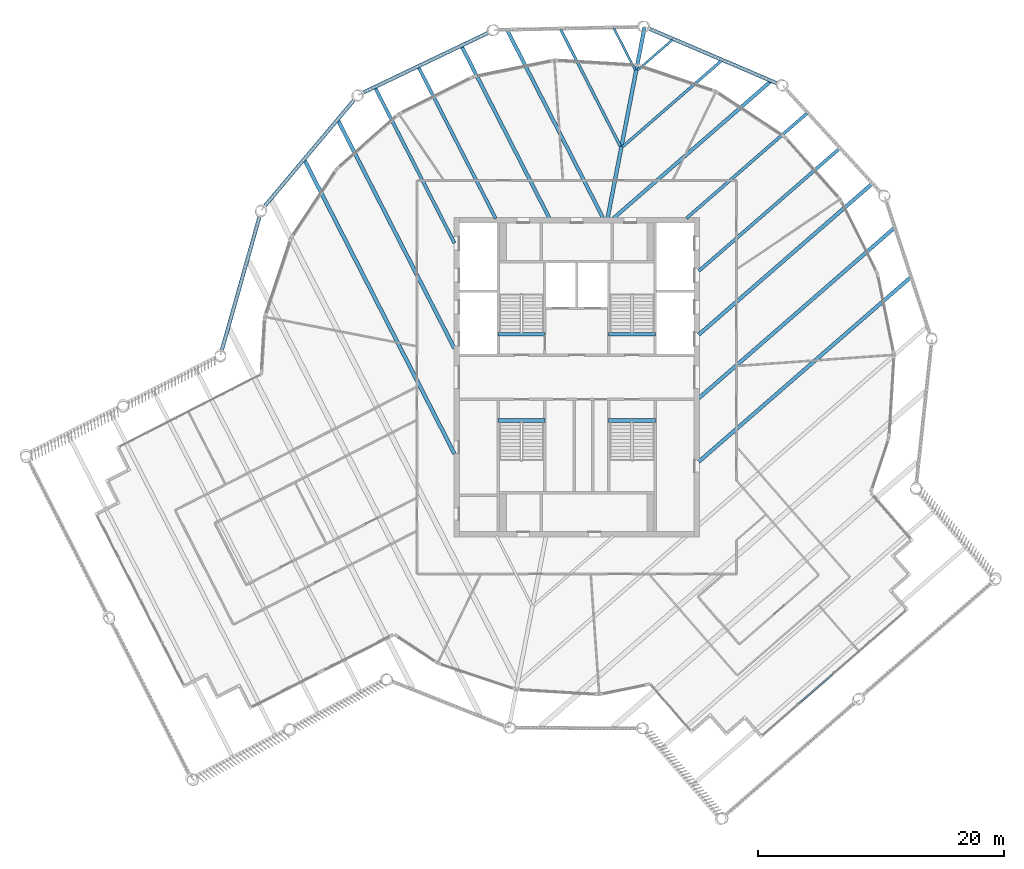
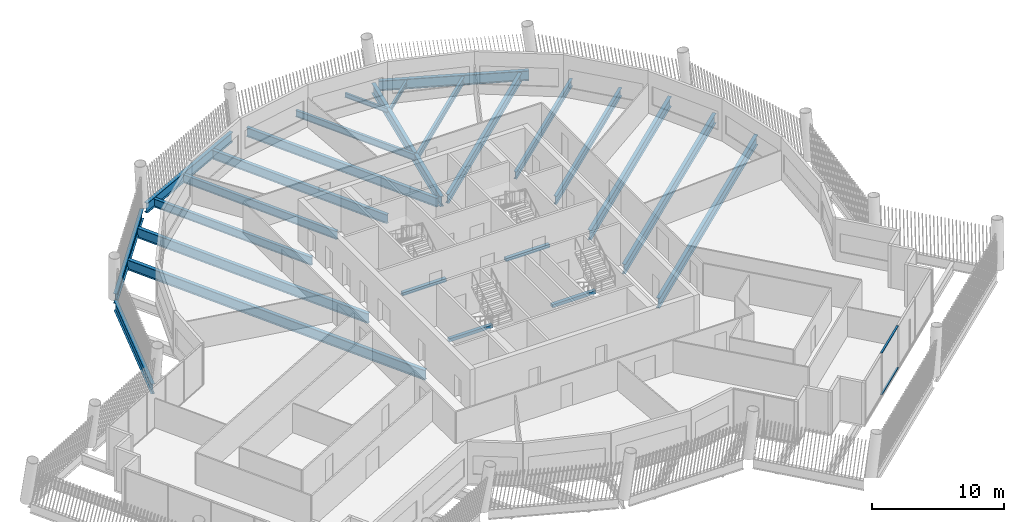
# One storey, part 13 of 28: 25 beams, 2 members, 1 element without a shape of its own.
"""IFC4 building model written with IfcOpenShell, lengths in metres."""

from ifc_helpers import new_model, si_unit, direction, frame, origin, origin_2d, place, context, subcontext, project, spatial, rectangle, hollow_rectangle, i_section, extrude, material, layer, layer_set, material_profile, profile_set, type_object, element, aggregate, save


model = new_model("IFC4")

# Units and contexts
model_context = context("Model", 3, precision=1e-05, world=origin(), true_north=direction((0.0, 1.0)))
body_context = subcontext(model_context, "Body", "Model", "MODEL_VIEW")
ifc_project = project(units=[si_unit("LENGTHUNIT", "METRE"), si_unit("AREAUNIT", "SQUARE_METRE"), si_unit("VOLUMEUNIT", "CUBIC_METRE"), si_unit("PLANEANGLEUNIT", "RADIAN"), si_unit("MASSUNIT", "GRAM", prefix="KILO")], contexts=[model_context])

# Site, building, storey
site_placement = place(None, origin())
site = spatial("IfcSite", under=ifc_project, at=site_placement, CompositionType="ELEMENT")
building_placement = place(site_placement, origin())
building = spatial("IfcBuilding", under=site, at=building_placement, Name="Tarsis Ring Headquarters", CompositionType="ELEMENT")
storey_placement = place(building_placement, frame((0.0, 0.0, 394.39990234375)))
storey = spatial("IfcBuildingStorey", under=building, at=storey_placement, Name="L93", CompositionType="ELEMENT", Elevation=394.39990234375)

# Curtain wall, members
ifc_material_1 = material(Name="Aluminium curtain wall", Category="aluminium")
ifc_layer = layer(ifc_material_1, 0.199951171875)
ifc_layer_set = layer_set([ifc_layer], Name="Curtain wall executive tip")
curtain_wall_type = type_object("IfcCurtainWallType", Name="Curtain wall executive tip", PredefinedType="NOTDEFINED", material=ifc_layer_set)
curtain_wall_placement = place(storey_placement, origin())
curtain_wall = element("IfcCurtainWall", 1, at=curtain_wall_placement, inside=storey, type_object=curtain_wall_type, Name="Curtain wall L93-11", PredefinedType="NOTDEFINED")
ifc_material_2 = material(Name="Aluminium transom", Category="aluminium")
ifc_material_profile_1 = material_profile(ifc_material_2, hollow_rectangle(XDim=0.159912109375, YDim=0.070068359375, WallThickness=0.0048828125, at=origin_2d()), Name="RHS 160x70x5")
ifc_profile_set_1 = profile_set([ifc_material_profile_1], Name="Aluminium transom")
member_type = type_object("IfcMemberType", Name="Curtain wall transom executive tip RHS 160x70x5", PredefinedType="USERDEFINED", material=ifc_profile_set_1)
member_1_placement = place(storey_placement, frame((18.0322265625, -26.56298828125, 0.03515625), z_axis=(0.754275298563, 0.656558279193, 0.0), x_axis=(-0.656558279193, 0.754275298563, 0.0)))
member_1 = element("IfcMember", 2, at=member_1_placement, type_object=member_type, Name="CW-E transom 2.1", ObjectType="TRANSOM", PredefinedType="USERDEFINED", context=body_context, shape_type="SweptSolid", body=[
    extrude(hollow_rectangle(XDim=0.159912109375, YDim=0.070068359375, WallThickness=0.0048828125, at=origin_2d()), origin(), (0.0, 0.0, 1.0), 3.80517578125),
])
member_2_placement = place(storey_placement, frame((18.0322265625, -26.56298828125, 3.864990234375), z_axis=(0.754275298563, 0.656558279193, 0.0), x_axis=(-0.656558279193, 0.754275298563, 0.0)))
member_2 = element("IfcMember", 3, at=member_2_placement, type_object=member_type, Name="CW-E transom 2.2", ObjectType="TRANSOM", PredefinedType="USERDEFINED", context=body_context, shape_type="SweptSolid", body=[
    extrude(hollow_rectangle(XDim=0.159912109375, YDim=0.070068359375, WallThickness=0.0048828125, at=origin_2d()), origin(), (0.0, 0.0, 1.0), 3.80517578125),
])
aggregate(curtain_wall, [member_1, member_2])

# Beams
ifc_material_3 = material(Name="Structural steel S355", Category="steel")
ifc_material_profile_2 = material_profile(ifc_material_3, i_section(OverallWidth=0.177734375, OverallDepth=0.406494140625, WebThickness=0.0078125, FlangeThickness=0.0126953125, at=origin_2d()), Name="W16x40")
ifc_profile_set_2 = profile_set([ifc_material_profile_2], Name="Structural steel S355")
beam_type_1 = type_object("IfcBeamType", Name="FB Floor beam W16x40", PredefinedType="JOIST", material=ifc_profile_set_2)
for number, where, z_axis, x_axis, name in (
    (4, (4.931884765625, 24.97607421875, -0.363037109375), (0.754270029447, 0.656564332475, 0.0), (-0.656564332475, 0.754270029447, 0.0), "Floor beam FB1"),
    (5, (3.017333984375, 28.4033203125, -0.363037109375), (0.454609447611, -0.890690883608, 0.0), (0.890690883608, 0.454609447611, 0.0), "Floor beam FB1"),
):
    element("IfcBeam", number, at=place(storey_placement, frame(where, z_axis=z_axis, x_axis=x_axis)), inside=storey, type_object=beam_type_1, Name=name, PredefinedType="JOIST", context=body_context, shape_type="SweptSolid", body=[
        extrude(i_section(OverallWidth=0.177734375, OverallDepth=0.406494140625, WebThickness=0.0078125, FlangeThickness=0.0126953125, at=origin_2d()), origin(), (0.0, 0.0, 1.0), 3.80810546875),
    ])
ifc_material_profile_3 = material_profile(ifc_material_3, i_section(OverallWidth=0.228271484375, OverallDepth=0.607177734375, WebThickness=0.01123046875, FlangeThickness=0.017333984375, at=origin_2d()), Name="W24x76")
ifc_profile_set_3 = profile_set([ifc_material_profile_3], Name="Structural steel S355")
beam_type_2 = type_object("IfcBeamType", Name="FB Floor beam W24x76", PredefinedType="JOIST", material=ifc_profile_set_3)
for number, where, z_axis, x_axis, name in (
    (6, (3.7275390625, 18.7568359375, -0.46337890625), (0.754246896805, 0.656590906623, 0.0), (-0.656590906623, 0.754246896805, 0.0), "Floor beam FB4"),
    (7, (-1.314453125, 28.311767578125, -0.46337890625), (0.454608680606, -0.890691275088, 0.0), (0.890691275088, 0.454608680606, 0.0), "Floor beam FB4"),
):
    element("IfcBeam", number, at=place(storey_placement, frame(where, z_axis=z_axis, x_axis=x_axis)), inside=storey, type_object=beam_type_2, Name=name, PredefinedType="JOIST", context=body_context, shape_type="SweptSolid", body=[
        extrude(i_section(OverallWidth=0.228271484375, OverallDepth=0.607177734375, WebThickness=0.01123046875, FlangeThickness=0.017333984375, at=origin_2d()), origin(), (0.0, 0.0, 1.0), 10.6875),
    ])
ifc_material_profile_4 = material_profile(ifc_material_3, i_section(OverallWidth=0.2529296875, OverallDepth=0.67822265625, WebThickness=0.01171875, FlangeThickness=0.016357421875, at=origin_2d()), Name="W27x84")
ifc_profile_set_4 = profile_set([ifc_material_profile_4], Name="Structural steel S355")
beam_type_3 = type_object("IfcBeamType", Name="FB Floor beam W27x84", PredefinedType="JOIST", material=ifc_profile_set_4)
beam_1_placement = place(storey_placement, frame((8.91845703125, 12.934326171875, -0.4990234375), z_axis=(0.754247679055, 0.656590008027, 0.0), x_axis=(-0.656590008027, 0.754247679055, 0.0)))
element("IfcBeam", 8, at=beam_1_placement, inside=storey, type_object=beam_type_3, Name="Floor beam FB5", PredefinedType="JOIST", context=body_context, shape_type="SweptSolid", body=[
    extrude(i_section(OverallWidth=0.2529296875, OverallDepth=0.67822265625, WebThickness=0.01171875, FlangeThickness=0.016357421875, at=origin_2d()), origin(), (0.0, 0.0, 1.0), 13.0322265625),
])
ifc_material_profile_5 = material_profile(ifc_material_3, i_section(OverallWidth=0.2666015625, OverallDepth=0.7568359375, WebThickness=0.013916015625, FlangeThickness=0.019287109375, at=origin_2d()), Name="W30x108")
ifc_profile_set_5 = profile_set([ifc_material_profile_5], Name="Structural steel S355")
beam_type_4 = type_object("IfcBeamType", Name="FB Floor beam W30x108", PredefinedType="JOIST", material=ifc_profile_set_5)
beam_2_placement = place(storey_placement, frame((9.924560546875, 8.639404296875, -0.538330078125), z_axis=(0.754248428094, 0.656589147578, 0.0), x_axis=(-0.656589147578, 0.754248428094, 0.0)))
element("IfcBeam", 9, at=beam_2_placement, inside=storey, type_object=beam_type_4, Name="Floor beam FB6", PredefinedType="JOIST", context=body_context, shape_type="SweptSolid", body=[
    extrude(i_section(OverallWidth=0.2666015625, OverallDepth=0.7568359375, WebThickness=0.013916015625, FlangeThickness=0.019287109375, at=origin_2d()), origin(), (0.0, 0.0, 1.0), 15.194580078125),
])
beam_3_placement = place(storey_placement, frame((-12.889404296875, 25.25341796875, -0.538330078125), z_axis=(0.454604994804, -0.890693156311, 0.0), x_axis=(0.890693156311, 0.454604994804, 0.0)))
element("IfcBeam", 10, at=beam_3_placement, inside=storey, type_object=beam_type_4, Name="Floor beam FB6", PredefinedType="JOIST", context=body_context, shape_type="SweptSolid", body=[
    extrude(i_section(OverallWidth=0.2666015625, OverallDepth=0.7568359375, WebThickness=0.013916015625, FlangeThickness=0.019287109375, at=origin_2d()), origin(), (0.0, 0.0, 1.0), 13.857177734375),
])
beam_4_placement = place(storey_placement, frame((-16.4091796875, 23.570556640625, -0.538330078125), z_axis=(0.454612899999, -0.890689121498, 0.0), x_axis=(0.890689121498, 0.454612899999, 0.0)))
element("IfcBeam", 11, at=beam_4_placement, inside=storey, type_object=beam_type_4, Name="Floor beam FB6", PredefinedType="JOIST", context=body_context, shape_type="SweptSolid", body=[
    extrude(i_section(OverallWidth=0.2666015625, OverallDepth=0.7568359375, WebThickness=0.013916015625, FlangeThickness=0.019287109375, at=origin_2d()), origin(), (0.0, 0.0, 1.0), 14.197998046875),
])
ifc_material_profile_6 = material_profile(ifc_material_3, i_section(OverallWidth=0.2919921875, OverallDepth=0.835693359375, WebThickness=0.013916015625, FlangeThickness=0.018798828125, at=origin_2d()), Name="W33x118")
ifc_profile_set_6 = profile_set([ifc_material_profile_6], Name="Structural steel S355")
beam_type_5 = type_object("IfcBeamType", Name="FB Floor beam W33x118", PredefinedType="JOIST", material=ifc_profile_set_6)
beam_5_placement = place(storey_placement, frame((2.978759765625, 12.934326171875, -0.57763671875), z_axis=(0.754252185175, 0.656584831654, 0.0), x_axis=(-0.656584831654, 0.754252185175, 0.0)))
element("IfcBeam", 12, at=beam_5_placement, inside=storey, type_object=beam_type_5, Name="Floor beam FB7", PredefinedType="JOIST", context=body_context, shape_type="SweptSolid", body=[
    extrude(i_section(OverallWidth=0.2919921875, OverallDepth=0.835693359375, WebThickness=0.013916015625, FlangeThickness=0.018798828125, at=origin_2d()), origin(), (0.0, 0.0, 1.0), 16.963134765625),
])
beam_6_placement = place(storey_placement, frame((-5.646484375, 28.22021484375, -0.57763671875), z_axis=(0.454612708994, -0.890689218988, 0.0), x_axis=(0.890689218988, 0.454612708994, 0.0)))
element("IfcBeam", 13, at=beam_6_placement, inside=storey, type_object=beam_type_5, Name="Floor beam FB7", PredefinedType="JOIST", context=body_context, shape_type="SweptSolid", body=[
    extrude(i_section(OverallWidth=0.2919921875, OverallDepth=0.835693359375, WebThickness=0.013916015625, FlangeThickness=0.018798828125, at=origin_2d()), origin(), (0.0, 0.0, 1.0), 17.188232421875),
])
beam_7_placement = place(storey_placement, frame((-9.369873046875, 26.936279296875, -0.57763671875), z_axis=(0.454615448415, -0.890687820767, 0.0), x_axis=(0.890687820767, 0.454615448415, 0.0)))
element("IfcBeam", 14, at=beam_7_placement, inside=storey, type_object=beam_type_5, Name="Floor beam FB7", PredefinedType="JOIST", context=body_context, shape_type="SweptSolid", body=[
    extrude(i_section(OverallWidth=0.2919921875, OverallDepth=0.835693359375, WebThickness=0.013916015625, FlangeThickness=0.018798828125, at=origin_2d()), origin(), (0.0, 0.0, 1.0), 15.74658203125),
])
ifc_material_profile_7 = material_profile(ifc_material_3, i_section(OverallWidth=0.3046875, OverallDepth=0.904296875, WebThickness=0.01513671875, FlangeThickness=0.02001953125, at=origin_2d()), Name="W36x135")
ifc_profile_set_7 = profile_set([ifc_material_profile_7], Name="Structural steel S355")
beam_type_6 = type_object("IfcBeamType", Name="FB Floor beam W36x135", PredefinedType="JOIST", material=ifc_profile_set_7)
beam_8_placement = place(storey_placement, frame((9.924560546875, 3.46875, -0.612060546875), z_axis=(0.754251649954, 0.656585446489, 0.0), x_axis=(-0.656585446489, 0.754251649954, 0.0)))
element("IfcBeam", 15, at=beam_8_placement, inside=storey, type_object=beam_type_6, Name="Floor beam FB8", PredefinedType="JOIST", context=body_context, shape_type="SweptSolid", body=[
    extrude(i_section(OverallWidth=0.3046875, OverallDepth=0.904296875, WebThickness=0.01513671875, FlangeThickness=0.02001953125, at=origin_2d()), origin(), (0.0, 0.0, 1.0), 18.690673828125),
])
beam_9_placement = place(storey_placement, frame((9.924560546875, -1.701904296875, -0.612060546875), z_axis=(0.754249840849, 0.656587524691, 0.0), x_axis=(-0.656587524691, 0.754249840849, 0.0)))
element("IfcBeam", 16, at=beam_9_placement, inside=storey, type_object=beam_type_6, Name="Floor beam FB8", PredefinedType="JOIST", context=body_context, shape_type="SweptSolid", body=[
    extrude(i_section(OverallWidth=0.3046875, OverallDepth=0.904296875, WebThickness=0.01513671875, FlangeThickness=0.02001953125, at=origin_2d()), origin(), (0.0, 0.0, 1.0), 21.09375),
])
beam_10_placement = place(storey_placement, frame((-19.431884765625, 20.9140625, -0.612060546875), z_axis=(0.454608960106, -0.890691132431, 0.0), x_axis=(0.890691132431, 0.454608960106, 0.0)))
element("IfcBeam", 17, at=beam_10_placement, inside=storey, type_object=beam_type_6, Name="Floor beam FB8", PredefinedType="JOIST", context=body_context, shape_type="SweptSolid", body=[
    extrude(i_section(OverallWidth=0.3046875, OverallDepth=0.904296875, WebThickness=0.01513671875, FlangeThickness=0.02001953125, at=origin_2d()), origin(), (0.0, 0.0, 1.0), 20.84716796875),
])
ifc_material_profile_8 = material_profile(ifc_material_3, i_section(OverallWidth=0.3046875, OverallDepth=0.91943359375, WebThickness=0.017333984375, FlangeThickness=0.02783203125, at=origin_2d()), Name="W36x170")
ifc_profile_set_8 = profile_set([ifc_material_profile_8], Name="Structural steel S355")
beam_type_7 = type_object("IfcBeamType", Name="FB Floor beam W36x170", PredefinedType="JOIST", material=ifc_profile_set_8)
beam_11_placement = place(storey_placement, frame((9.924560546875, -6.87255859375, -0.61962890625), z_axis=(0.754252479259, 0.656584493825, 0.0), x_axis=(-0.656584493825, 0.754252479259, 0.0)))
element("IfcBeam", 18, at=beam_11_placement, inside=storey, type_object=beam_type_7, Name="Floor beam FB9", PredefinedType="JOIST", context=body_context, shape_type="SweptSolid", body=[
    extrude(i_section(OverallWidth=0.3046875, OverallDepth=0.91943359375, WebThickness=0.017333984375, FlangeThickness=0.02783203125, at=origin_2d()), origin(), (0.0, 0.0, 1.0), 22.8447265625),
])
ifc_material_profile_9 = material_profile(ifc_material_3, i_section(OverallWidth=0.309814453125, OverallDepth=0.93212890625, WebThickness=0.02099609375, FlangeThickness=0.034423828125, at=origin_2d()), Name="W36x210")
ifc_profile_set_9 = profile_set([ifc_material_profile_9], Name="Structural steel S355")
beam_type_8 = type_object("IfcBeamType", Name="FB Floor beam W36x210", PredefinedType="JOIST", material=ifc_profile_set_9)
beam_12_placement = place(storey_placement, frame((-22.158203125, 17.6767578125, -0.6259765625), z_axis=(0.45461230605, -0.890689424653, 0.0), x_axis=(0.890689424653, 0.45461230605, 0.0)))
element("IfcBeam", 19, at=beam_12_placement, inside=storey, type_object=beam_type_8, Name="Floor beam FB10", PredefinedType="JOIST", context=body_context, shape_type="SweptSolid", body=[
    extrude(i_section(OverallWidth=0.309814453125, OverallDepth=0.93212890625, WebThickness=0.02099609375, FlangeThickness=0.034423828125, at=origin_2d()), origin(), (0.0, 0.0, 1.0), 26.843994140625),
])
ifc_material_profile_10 = material_profile(ifc_material_3, i_section(OverallWidth=0.309814453125, OverallDepth=0.949951171875, WebThickness=0.0244140625, FlangeThickness=0.0439453125, at=origin_2d()), Name="W36x256")
ifc_profile_set_10 = profile_set([ifc_material_profile_10], Name="Structural steel S355")
beam_type_9 = type_object("IfcBeamType", Name="FB Floor beam W36x256 spine", PredefinedType="BEAM", material=ifc_profile_set_10)
beam_13_placement = place(storey_placement, frame((5.51220703125, 28.4638671875, -0.635009765625), z_axis=(-0.190123432685, -0.981760194928, 0.0), x_axis=(0.981760194928, -0.190123432685, 0.0)))
element("IfcBeam", 20, at=beam_13_placement, inside=storey, type_object=beam_type_9, Name="Floor beam SB11", PredefinedType="BEAM", context=body_context, shape_type="SweptSolid", body=[
    extrude(i_section(OverallWidth=0.309814453125, OverallDepth=0.949951171875, WebThickness=0.0244140625, FlangeThickness=0.0439453125, at=origin_2d()), origin(), (0.0, 0.0, 1.0), 15.85107421875),
])
ifc_material_4 = material(Name="Concrete C40/50", Category="concrete")
ifc_material_profile_11 = material_profile(ifc_material_4, rectangle(XDim=0.300048828125, YDim=0.300048828125, at=origin_2d()), Name="Stair head beam 300x300 C40/50")
ifc_profile_set_11 = profile_set([ifc_material_profile_11], Name="Concrete C40/50")
beam_type_10 = type_object("IfcBeamType", Name="Stair head beam 300x300 C40/50", PredefinedType="BEAM", material=ifc_profile_set_11)
for number, where, z_axis, x_axis, name in (
    (21, (-6.39990234375, 3.510009765625, -0.309814453125), (1.0, 0.0, 0.0), (0.0, 1.0, 0.0), "Stair head beam L93 Firefighting stair"),
    (22, (2.60009765625, 3.510009765625, -0.309814453125), (1.0, 0.0, 0.0), (0.0, 1.0, 0.0), "Stair head beam L93 Exit stair B"),
    (23, (-6.39990234375, -3.510009765625, -0.309814453125), (1.0, 0.0, 0.0), (0.0, 1.0, 0.0), "Stair head beam L93 Exit stair C"),
    (24, (2.60009765625, -3.510009765625, -0.309814453125), (1.0, 0.0, 0.0), (0.0, 1.0, 0.0), "Stair head beam L93 Exit stair D"),
):
    element("IfcBeam", number, at=place(storey_placement, frame(where, z_axis=z_axis, x_axis=x_axis)), inside=storey, type_object=beam_type_10, Name=name, PredefinedType="BEAM", context=body_context, shape_type="SweptSolid", body=[
        extrude(rectangle(XDim=0.300048828125, YDim=0.300048828125, at=origin_2d()), origin(), (0.0, 0.0, 1.0), 3.7998046875),
    ])
beam_type_11 = type_object("IfcBeamType", Name="XG Ring girder W36x170", PredefinedType="BEAM", material=ifc_profile_set_8)
beam_14_placement = place(storey_placement, frame((16.408447265625, 23.868408203125, -0.459716796875), z_axis=(-0.919607476682, 0.392838502226, 0.0), x_axis=(-0.392838502226, -0.919607476682, 0.0)))
element("IfcBeam", 25, at=beam_14_placement, inside=storey, type_object=beam_type_11, Name="Ring girder XG4", PredefinedType="BEAM", context=body_context, shape_type="SweptSolid", body=[
    extrude(i_section(OverallWidth=0.3046875, OverallDepth=0.91943359375, WebThickness=0.017333984375, FlangeThickness=0.02783203125, at=origin_2d()), origin(), (0.0, 0.0, 1.0), 11.42578125),
])
for number, where, z_axis, x_axis, name in (
    (26, (-7.094482421875, 28.082275390625, -0.459716796875), (-0.902180862273, -0.431357962427, 0.0), (0.431357962427, -0.902180862273, 0.0), "Ring girder XG4"),
    (27, (-18.0390625, 22.661376953125, -0.459716796875), (-0.644175223839, -0.764877951697, 0.0), (0.764877951697, -0.644175223839, 0.0), "Ring girder XG4"),
):
    element("IfcBeam", number, at=place(storey_placement, frame(where, z_axis=z_axis, x_axis=x_axis)), inside=storey, type_object=beam_type_11, Name=name, PredefinedType="BEAM", context=body_context, shape_type="SweptSolid", body=[
        extrude(i_section(OverallWidth=0.3046875, OverallDepth=0.91943359375, WebThickness=0.017333984375, FlangeThickness=0.02783203125, at=origin_2d()), origin(), (0.0, 0.0, 1.0), 11.426025390625),
    ])
beam_15_placement = place(storey_placement, frame((-25.776123046875, 13.211181640625, -0.459716796875), z_axis=(-0.271621040556, -0.96240428632, 0.0), x_axis=(0.96240428632, -0.271621040556, 0.0)))
element("IfcBeam", 28, at=beam_15_placement, inside=storey, type_object=beam_type_11, Name="Ring girder XG4", PredefinedType="BEAM", context=body_context, shape_type="SweptSolid", body=[
    extrude(i_section(OverallWidth=0.3046875, OverallDepth=0.91943359375, WebThickness=0.017333984375, FlangeThickness=0.02783203125, at=origin_2d()), origin(), (0.0, 0.0, 1.0), 11.42578125),
])

save(model, "model.ifc")
